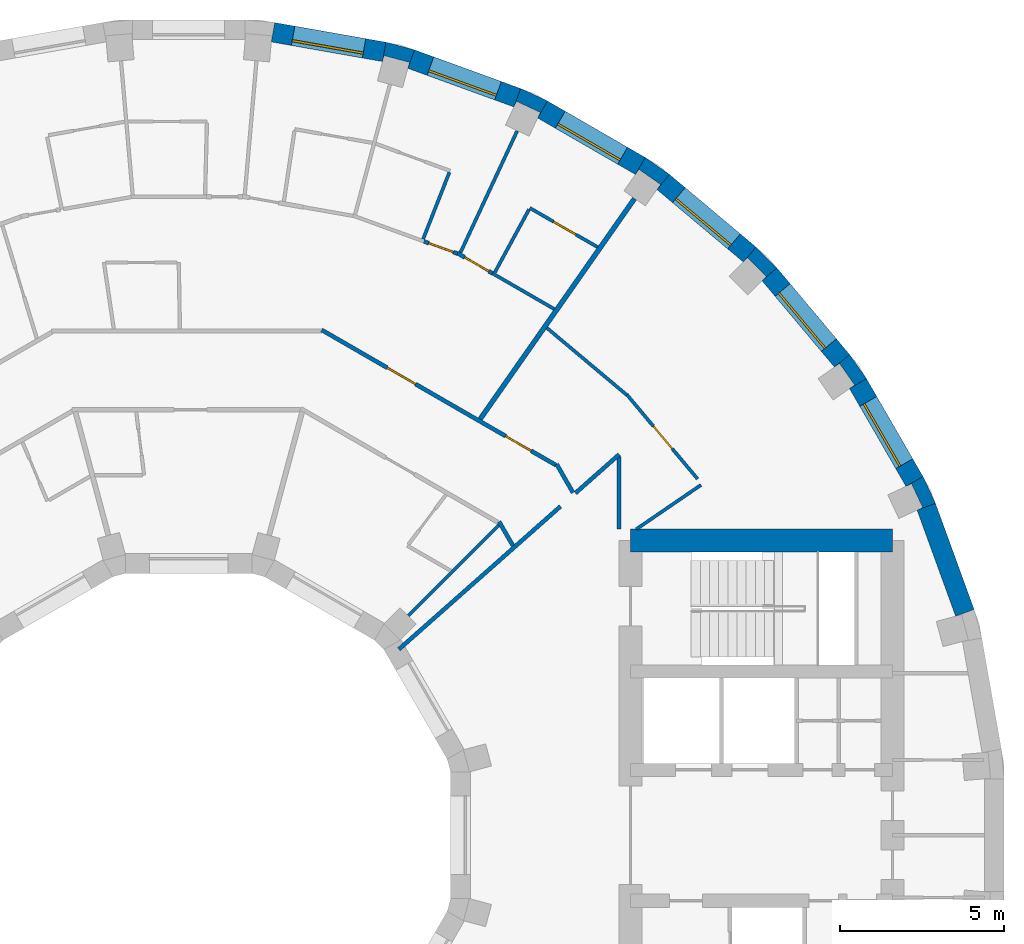
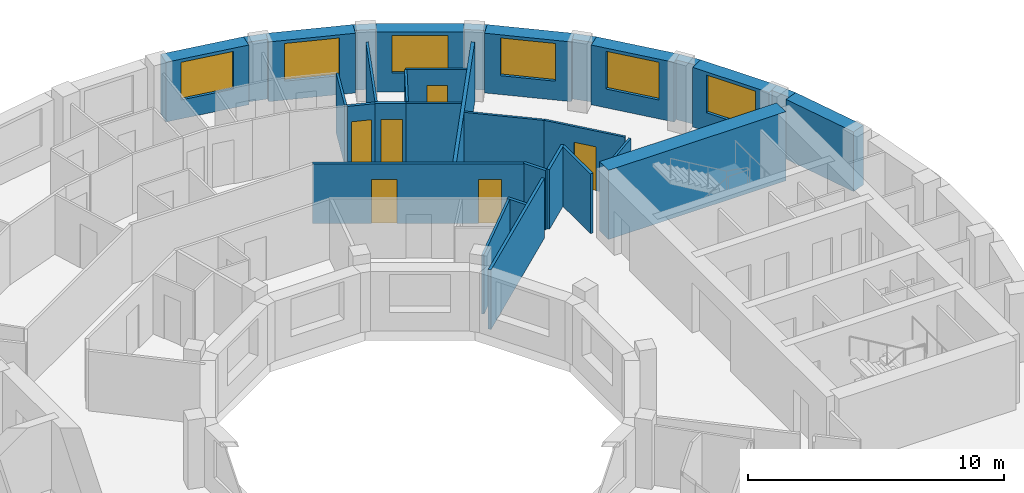
# One storey, part 13 of 15: 32 walls, 6 doors, 6 windows, 12 openings.
"""IFC4 building model written with IfcOpenShell, lengths in metres."""

import ifcopenshell
import ifcopenshell.guid

model = None  # the IFC model being written
_history = None  # IfcOwnerHistory: only IFC2X3 demands one
_inside = {}  # id of a spatial element -> (the spatial element, [elements in it])
_under = {}  # id of a project, library or spatial element -> (it, [spatial elements below it])
_declared = {}  # id of a project -> (the project, [libraries it declares])
_typed = {}  # id of a type object -> (the type object, [elements of that type])
_made_of = {}  # id of a material, layer set ... -> (it, [elements and type objects made of it])


def new_model(schema):
    """Start an empty IFC model of exactly this schema.

    Asked for "IFC4X3", IfcOpenShell would pick the latest addendum, in which some entities
    have other attributes; the version numbers below select the first issue.
    IFC2X3 requires an IfcOwnerHistory on every rooted entity: one is made here for all.
    """
    global model, _history
    if schema == "IFC4X3":
        model = ifcopenshell.file(schema_version=(4, 3, 0, 0))
    else:
        model = ifcopenshell.file(schema=schema)
    _inside.clear()
    _under.clear()
    _declared.clear()
    _typed.clear()
    _made_of.clear()
    _history = None
    if model.schema == "IFC2X3":
        org = make("IfcOrganization", Name="unknown")
        user = make(
            "IfcPersonAndOrganization",
            ThePerson=make("IfcPerson", FamilyName="unknown"),
            TheOrganization=org,
        )
        app = make(
            "IfcApplication",
            ApplicationDeveloper=org,
            Version="unknown",
            ApplicationFullName="unknown",
            ApplicationIdentifier="unknown",
        )
        _history = make(
            "IfcOwnerHistory",
            OwningUser=user,
            OwningApplication=app,
            ChangeAction="ADDED",
            CreationDate=0,
        )
    return model


def make(cls, **values):
    """One entity of the class cls with the attributes given. An attribute that is None is left unset."""
    return model.create_entity(
        cls, **{name: value for name, value in values.items() if value is not None}
    )


def rooted(cls, **values):
    """An entity with a GlobalId (a new one), such as an element, a storey or a relation."""
    return make(cls, GlobalId=ifcopenshell.guid.new(), OwnerHistory=_history, **values)


def si_unit(unit_type, name, prefix=None):
    """IfcSIUnit, for example si_unit("LENGTHUNIT", "METRE", prefix="MILLI")."""
    return make("IfcSIUnit", UnitType=unit_type, Prefix=prefix, Name=name)


def assignment(units):
    """IfcUnitAssignment: the units of a project."""
    return None if units is None else make("IfcUnitAssignment", Units=units)


def point(xyz):
    """IfcCartesianPoint."""
    return None if xyz is None else make("IfcCartesianPoint", Coordinates=xyz)


def direction(xyz):
    """IfcDirection."""
    return None if xyz is None else make("IfcDirection", DirectionRatios=xyz)


def frame(location, z_axis=None, x_axis=None):
    """IfcAxis2Placement3D, a coordinate frame: its origin and axes. An axis left out is left unset."""
    return make(
        "IfcAxis2Placement3D",
        Location=point(location),
        Axis=direction(z_axis),
        RefDirection=direction(x_axis),
    )


def frame_2d(location, x_axis=None):
    """IfcAxis2Placement2D, a coordinate frame in the plane: its origin and x axis."""
    return make(
        "IfcAxis2Placement2D", Location=point(location), RefDirection=direction(x_axis)
    )


def origin():
    """The frame at (0, 0, 0) with its axes left unset."""
    return frame((0.0, 0.0, 0.0))


def place(relative_to, where):
    """IfcLocalPlacement: puts the frame where relative to a parent placement (None: the world)."""
    return make(
        "IfcLocalPlacement", PlacementRelTo=relative_to, RelativePlacement=where
    )


def context(
    kind, dimensions, precision=None, world=None, true_north=None, identifier=None
):
    """IfcGeometricRepresentationContext, for example the 3D "Model" context."""
    return make(
        "IfcGeometricRepresentationContext",
        ContextIdentifier=identifier,
        ContextType=kind,
        CoordinateSpaceDimension=dimensions,
        Precision=precision,
        WorldCoordinateSystem=world,
        TrueNorth=true_north,
    )


def subcontext(parent, identifier, kind, view, scale=None):
    """IfcGeometricRepresentationSubContext, for example "Body" below "Model"."""
    return make(
        "IfcGeometricRepresentationSubContext",
        ContextIdentifier=identifier,
        ContextType=kind,
        ParentContext=parent,
        TargetScale=scale,
        TargetView=view,
    )


def project(units=None, contexts=None):
    """IfcProject with its units and contexts."""
    return rooted(
        "IfcProject",
        Name="project",
        RepresentationContexts=contexts,
        UnitsInContext=assignment(units),
    )


def spatial(cls, under=None, at=None, **own):
    """A site, building, storey or space (cls), placed at a placement, below another one or the project."""
    s = rooted(cls, ObjectPlacement=at, **own)
    if under is not None:
        _under.setdefault(under.id(), (under, []))[1].append(s)
    return s


def polyline(points):
    """IfcPolyline through the points."""
    return make("IfcPolyline", Points=[point(p) for p in points])


def profile(cls, at=None, kind="AREA", **sizes):
    """A parametric profile (cls). Its sizes go by their IFC names, for example OverallWidth=200.0."""
    return make(cls, ProfileType=kind, Position=at, **sizes)


def rectangle(**sizes):
    """IfcRectangleProfileDef."""
    return profile("IfcRectangleProfileDef", **sizes)


def outline(outer, holes=None, kind="AREA"):
    """IfcArbitraryClosedProfileDef: a profile drawn as a closed curve; with holes, ...WithVoids."""
    if holes is None:
        return make("IfcArbitraryClosedProfileDef", ProfileType=kind, OuterCurve=outer)
    return make(
        "IfcArbitraryProfileDefWithVoids",
        ProfileType=kind,
        OuterCurve=outer,
        InnerCurves=holes,
    )


def extrude(swept, where, along, depth):
    """IfcExtrudedAreaSolid: the profile swept, set in the frame where, extruded along a direction by depth."""
    return make(
        "IfcExtrudedAreaSolid",
        SweptArea=swept,
        Position=where,
        ExtrudedDirection=direction(along),
        Depth=depth,
    )


def shape(context_of_items, identifier, shape_type, items):
    """IfcShapeRepresentation: the items that make up one representation, for example the "Body"."""
    return make(
        "IfcShapeRepresentation",
        ContextOfItems=context_of_items,
        RepresentationIdentifier=identifier,
        RepresentationType=shape_type,
        Items=items,
    )


def material(Name=None, Category=None):
    """IfcMaterial."""
    return make("IfcMaterial", Name=Name, Category=Category)


def layer(
    of_material, thickness, ventilated=None, Name=None, Category=None, Priority=None
):
    """IfcMaterialLayer: one layer of a wall or slab, of a material (None: an air gap)."""
    return make(
        "IfcMaterialLayer",
        Material=of_material,
        LayerThickness=thickness,
        IsVentilated=ventilated,
        Name=Name,
        Category=Category,
        Priority=Priority,
    )


def layer_set(layers, Name=None):
    """IfcMaterialLayerSet."""
    return make("IfcMaterialLayerSet", MaterialLayers=layers, LayerSetName=Name)


def made_of(thing, what):
    """Note that an element or type object is made of a material, layer set ...; save() writes the relation."""
    if what is not None:
        _made_of.setdefault(what.id(), (what, []))[1].append(thing)
    return thing


def type_object(cls, material=None, **own):
    """A type object (cls), such as IfcWallType, which elements share."""
    return made_of(rooted(cls, **own), material)


def element(
    cls,
    number,
    at=None,
    inside=None,
    cuts=None,
    type_object=None,
    material=None,
    context=None,
    identifier="Body",
    shape_type=None,
    held_by="IfcProductDefinitionShape",
    body=None,
    shapes=None,
    **own,
):
    """One element of the class cls, such as IfcWall. Its Tag is "e" and its number.

    at: its placement. inside: the storey or other place that contains it. cuts: it is an
    opening in that element (IfcRelVoidsElement). A single representation is given by context,
    identifier, shape_type and body (its items); several are given by shapes. held_by: the class
    of the entity that holds the representations. save() writes the other relations.
    """
    e = rooted(cls, Tag="e%d" % number, ObjectPlacement=at, **own)
    if body is not None:
        shapes = [shape(context, identifier, shape_type, body)]
    if shapes is not None:
        e.Representation = make(held_by, Representations=shapes)
    if inside is not None:
        _inside.setdefault(inside.id(), (inside, []))[1].append(e)
    if cuts is not None:
        rooted(
            "IfcRelVoidsElement", RelatingBuildingElement=cuts, RelatedOpeningElement=e
        )
    if type_object is not None:
        _typed.setdefault(type_object.id(), (type_object, []))[1].append(e)
    return made_of(e, material)


def fill(opening, filler):
    """IfcRelFillsElement: the door or window that sits in an opening."""
    return rooted(
        "IfcRelFillsElement",
        RelatingOpeningElement=opening,
        RelatedBuildingElement=filler,
    )


def aggregate(whole, parts):
    """IfcRelAggregates: a whole, such as a stair, and the parts it consists of."""
    return rooted("IfcRelAggregates", RelatingObject=whole, RelatedObjects=parts)


def save(model, path):
    """Write the relations noted so far, then the file.

    IfcRelAggregates (storeys below a building ...), IfcRelContainedInSpatialStructure (elements
    in a storey), IfcRelDefinesByType, IfcRelAssociatesMaterial and IfcRelDeclares: one each for
    every whole, place, type object, material and project.
    """
    for whole, parts in _under.values():
        aggregate(whole, parts)
    for where, things in _inside.values():
        rooted(
            "IfcRelContainedInSpatialStructure",
            RelatedElements=things,
            RelatingStructure=where,
        )
    for kind, things in _typed.values():
        rooted("IfcRelDefinesByType", RelatedObjects=things, RelatingType=kind)
    for what, things in _made_of.values():
        rooted("IfcRelAssociatesMaterial", RelatedObjects=things, RelatingMaterial=what)
    for by, libraries in _declared.values():
        rooted("IfcRelDeclares", RelatingContext=by, RelatedDefinitions=libraries)
    model.write(path)


model = new_model("IFC4")

# Units and contexts
model_context = context("Model", 3, precision=1e-05, world=origin(), true_north=direction((0.0, 1.0)))
body_context = subcontext(model_context, "Body", "Model", "MODEL_VIEW")
ifc_project = project(units=[si_unit("LENGTHUNIT", "METRE"), si_unit("AREAUNIT", "SQUARE_METRE"), si_unit("VOLUMEUNIT", "CUBIC_METRE"), si_unit("PLANEANGLEUNIT", "RADIAN"), si_unit("MASSUNIT", "GRAM", prefix="KILO")], contexts=[model_context])

# Site, building, storey
site_placement = place(None, origin())
site = spatial("IfcSite", under=ifc_project, at=site_placement, CompositionType="ELEMENT")
building_placement = place(site_placement, origin())
building = spatial("IfcBuilding", under=site, at=building_placement, Name="Saqina Gate Tower", CompositionType="ELEMENT")
storey_placement = place(building_placement, frame((0.0, 0.0, 160.800048828125)))
storey = spatial("IfcBuildingStorey", under=building, at=storey_placement, Name="L45", CompositionType="ELEMENT", Elevation=160.800048828125)

# Walls
ifc_material_1 = material(Name="Brick masonry (buff)", Category="masonry")
wall_type_1 = type_object("IfcWallType", Name="BRICK PIER COPING BUFF", PredefinedType="SOLIDWALL", material=ifc_material_1)
wall_1_placement = place(storey_placement, origin())
element("IfcWall", 1, at=wall_1_placement, inside=storey, type_object=wall_type_1, Name="Pier cap L45 column 3", PredefinedType="SOLIDWALL", context=body_context, shape_type="SweptSolid", body=[
    extrude(outline(polyline([(22.4306640625, 10.958740234375), (21.9111328125, 10.65869140625), (22.080810546875, 10.73779296875), (22.4189453125, 10.0126953125), (22.249267578125, 9.93359375), (22.81298828125, 10.138916015625), (22.4306640625, 10.958740234375)])), origin(), (0.0, 0.0, 1.0), 2.849853515625),
])
wall_2_placement = place(storey_placement, origin())
element("IfcWall", 2, at=wall_2_placement, inside=storey, type_object=wall_type_1, Name="Pier cap L45 column 4", PredefinedType="SOLIDWALL", context=body_context, shape_type="SweptSolid", body=[
    extrude(outline(polyline([(20.705810546875, 13.9462890625), (20.18701171875, 14.687255859375), (19.727294921875, 14.301513671875), (19.880859375, 14.408935546875), (20.339599609375, 13.753662109375), (20.186279296875, 13.646240234375), (20.705810546875, 13.9462890625)])), origin(), (0.0, 0.0, 1.0), 2.849853515625),
])
wall_3_placement = place(storey_placement, origin())
element("IfcWall", 3, at=wall_3_placement, inside=storey, type_object=wall_type_1, Name="Pier cap L45 column 5", PredefinedType="SOLIDWALL", context=body_context, shape_type="SweptSolid", body=[
    extrude(outline(polyline([(17.329833984375, 17.969482421875), (16.944091796875, 17.510009765625), (17.07666015625, 17.642333984375), (17.642333984375, 17.07666015625), (17.510009765625, 16.944091796875), (17.969482421875, 17.329833984375), (17.329833984375, 17.969482421875)])), origin(), (0.0, 0.0, 1.0), 2.849853515625),
])
wall_4_placement = place(storey_placement, origin())
element("IfcWall", 4, at=wall_4_placement, inside=storey, type_object=wall_type_1, Name="Pier cap L45 column 6", PredefinedType="SOLIDWALL", context=body_context, shape_type="SweptSolid", body=[
    extrude(outline(polyline([(14.687255859375, 20.18701171875), (13.9462890625, 20.705810546875), (13.646240234375, 20.186279296875), (13.753662109375, 20.339599609375), (14.408935546875, 19.880859375), (14.301513671875, 19.727294921875), (14.687255859375, 20.18701171875)])), origin(), (0.0, 0.0, 1.0), 2.849853515625),
])
wall_5_placement = place(storey_placement, origin())
element("IfcWall", 5, at=wall_5_placement, inside=storey, type_object=wall_type_1, Name="Pier cap L45 column 7", PredefinedType="SOLIDWALL", context=body_context, shape_type="SweptSolid", body=[
    extrude(outline(polyline([(10.138916015625, 22.81298828125), (9.93359375, 22.249267578125), (10.0126953125, 22.4189453125), (10.73779296875, 22.080810546875), (10.65869140625, 21.9111328125), (10.958740234375, 22.4306640625), (10.138916015625, 22.81298828125)])), origin(), (0.0, 0.0, 1.0), 2.849853515625),
])
wall_6_placement = place(storey_placement, origin())
element("IfcWall", 6, at=wall_6_placement, inside=storey, type_object=wall_type_1, Name="Pier cap L45 column 8", PredefinedType="SOLIDWALL", context=body_context, shape_type="SweptSolid", body=[
    extrude(outline(polyline([(6.0234375, 24.22705078125), (5.919189453125, 23.635986328125), (5.967529296875, 23.81689453125), (6.740478515625, 23.610107421875), (6.69189453125, 23.428955078125), (6.897216796875, 23.992919921875), (6.0234375, 24.22705078125)])), origin(), (0.0, 0.0, 1.0), 2.849853515625),
])

# Wall, opening, window
ifc_material_2 = material(Name="Brick masonry (buff)", Category="masonry")
ifc_layer_1 = layer(ifc_material_2, 0.60009765625)
ifc_layer_set_1 = layer_set([ifc_layer_1], Name="FW-BRICK-BUFF")
wall_type_2 = type_object("IfcWallType", Name="FW-BRICK-BUFF", PredefinedType="SOLIDWALL", material=ifc_layer_set_1)
wall_7_placement = place(storey_placement, frame((22.1708984375, 10.80859375, 0.0), z_axis=(0.0, 0.0, 1.0), x_axis=(-0.499998129301, 0.86602648383, 0.0)))
wall_7 = element("IfcWall", 7, at=wall_7_placement, inside=storey, type_object=wall_type_2, Name="Facade wall L45 facet 3", PredefinedType="SOLIDWALL", context=body_context, shape_type="SweptSolid", body=[
    extrude(rectangle(XDim=3.44970703125, YDim=0.60009765625, at=frame_2d((1.724853515625, 0.0))), origin(), (0.0, 0.0, 1.0), 2.849853515625),
])
opening_1_placement = place(wall_7_placement, frame((0.625, 0.0, 0.89990234375)))
opening_1 = element("IfcOpeningElement", 8, at=opening_1_placement, cuts=wall_7, Name="Opening G13-W01", PredefinedType="OPENING", context=body_context, shape_type="SweptSolid", body=[
    extrude(rectangle(XDim=2.199951171875, YDim=1.800048828125, at=frame_2d((1.10009765625, 0.89990234375))), frame((0.0, 0.31201171875, 0.0), z_axis=(0.0, -1.0, 0.0), x_axis=(1.0, 0.0, 0.0)), (0.0, 0.0, 1.0), 0.6240234375),
])
ifc_material_3 = material(Name="Aluminium glazing", Category="aluminium")
window_type = type_object("IfcWindowType", Name="WN-C", PartitioningType="SINGLE_PANEL", PredefinedType="WINDOW", material=ifc_material_3)
window_1_placement = place(opening_1_placement, origin())
window_1 = element("IfcWindow", 9, at=window_1_placement, inside=storey, type_object=window_type, Name="Window L45 facet 3", OverallHeight=1.800048828125, OverallWidth=2.199951171875, PartitioningType="SINGLE_PANEL", PredefinedType="WINDOW", context=body_context, shape_type="SweptSolid", body=[
    extrude(rectangle(XDim=2.199951171875, YDim=1.800048828125, at=frame_2d((1.10009765625, 0.89990234375))), frame((0.0, 0.179931640625, 0.0), z_axis=(0.0, -1.0, 0.0), x_axis=(1.0, 0.0, 0.0)), (0.0, 0.0, 1.0), 0.06005859375),
])
fill(opening_1, window_1)

wall_8_placement = place(storey_placement, frame((19.95703125, 14.494384765625, 0.0), z_axis=(0.0, 0.0, 1.0), x_axis=(-0.642770398358, 0.766058884809, 0.0)))
wall_8 = element("IfcWall", 10, at=wall_8_placement, inside=storey, type_object=wall_type_2, Name="Facade wall L45 facet 4", PredefinedType="SOLIDWALL", context=body_context, shape_type="SweptSolid", body=[
    extrude(rectangle(XDim=3.449462890625, YDim=0.60009765625, at=frame_2d((1.724609375, 0.0))), origin(), (0.0, 0.0, 1.0), 2.849853515625),
])
opening_2_placement = place(wall_8_placement, frame((0.625, 0.0, 0.89990234375)))
opening_2 = element("IfcOpeningElement", 11, at=opening_2_placement, cuts=wall_8, Name="Opening G13-W02", PredefinedType="OPENING", context=body_context, shape_type="SweptSolid", body=[
    extrude(rectangle(XDim=2.199951171875, YDim=1.800048828125, at=frame_2d((1.10009765625, 0.89990234375))), frame((0.0, 0.31201171875, 0.0), z_axis=(0.0, -1.0, 0.0), x_axis=(1.0, 0.0, 0.0)), (0.0, 0.0, 1.0), 0.6240234375),
])
window_2_placement = place(opening_2_placement, origin())
window_2 = element("IfcWindow", 12, at=window_2_placement, inside=storey, type_object=window_type, Name="Window L45 facet 4", OverallHeight=1.800048828125, OverallWidth=2.199951171875, PartitioningType="SINGLE_PANEL", PredefinedType="WINDOW", context=body_context, shape_type="SweptSolid", body=[
    extrude(rectangle(XDim=2.199951171875, YDim=1.800048828125, at=frame_2d((1.10009765625, 0.89990234375))), frame((0.0, 0.179931640625, 0.0), z_axis=(0.0, -1.0, 0.0), x_axis=(1.0, 0.0, 0.0)), (0.0, 0.0, 1.0), 0.06005859375),
])
fill(opening_2, window_2)

wall_9_placement = place(storey_placement, frame((17.136962890625, 17.73974609375, 0.0), z_axis=(0.0, 0.0, 1.0), x_axis=(-0.766058884809, 0.642770398358, 0.0)))
wall_9 = element("IfcWall", 13, at=wall_9_placement, inside=storey, type_object=wall_type_2, Name="Facade wall L45 facet 5", PredefinedType="SOLIDWALL", context=body_context, shape_type="SweptSolid", body=[
    extrude(rectangle(XDim=3.449462890625, YDim=0.60009765625, at=frame_2d((1.724609375, 0.0))), origin(), (0.0, 0.0, 1.0), 2.849853515625),
])
opening_3_placement = place(wall_9_placement, frame((0.625, 0.0, 0.89990234375)))
opening_3 = element("IfcOpeningElement", 14, at=opening_3_placement, cuts=wall_9, Name="Opening G13-W03", PredefinedType="OPENING", context=body_context, shape_type="SweptSolid", body=[
    extrude(rectangle(XDim=2.199951171875, YDim=1.800048828125, at=frame_2d((1.10009765625, 0.89990234375))), frame((0.0, 0.31201171875, 0.0), z_axis=(0.0, -1.0, 0.0), x_axis=(1.0, 0.0, 0.0)), (0.0, 0.0, 1.0), 0.6240234375),
])
window_3_placement = place(opening_3_placement, origin())
window_3 = element("IfcWindow", 15, at=window_3_placement, inside=storey, type_object=window_type, Name="Window L45 facet 5", OverallHeight=1.800048828125, OverallWidth=2.199951171875, PartitioningType="SINGLE_PANEL", PredefinedType="WINDOW", context=body_context, shape_type="SweptSolid", body=[
    extrude(rectangle(XDim=2.199951171875, YDim=1.800048828125, at=frame_2d((1.10009765625, 0.89990234375))), frame((0.0, 0.179931640625, 0.0), z_axis=(0.0, -1.0, 0.0), x_axis=(1.0, 0.0, 0.0)), (0.0, 0.0, 1.0), 0.06005859375),
])
fill(opening_3, window_3)

wall_10_placement = place(storey_placement, frame((13.796142578125, 20.446044921875, 0.0), z_axis=(0.0, 0.0, 1.0), x_axis=(-0.86602648383, 0.499998129301, 0.0)))
wall_10 = element("IfcWall", 16, at=wall_10_placement, inside=storey, type_object=wall_type_2, Name="Facade wall L45 facet 6", PredefinedType="SOLIDWALL", context=body_context, shape_type="SweptSolid", body=[
    extrude(rectangle(XDim=3.44970703125, YDim=0.60009765625, at=frame_2d((1.724853515625, 0.0))), origin(), (0.0, 0.0, 1.0), 2.849853515625),
])
opening_4_placement = place(wall_10_placement, frame((0.625, 0.0, 0.89990234375)))
opening_4 = element("IfcOpeningElement", 17, at=opening_4_placement, cuts=wall_10, Name="Opening G13-W04", PredefinedType="OPENING", context=body_context, shape_type="SweptSolid", body=[
    extrude(rectangle(XDim=2.199951171875, YDim=1.800048828125, at=frame_2d((1.10009765625, 0.89990234375))), frame((0.0, 0.31201171875, 0.0), z_axis=(0.0, -1.0, 0.0), x_axis=(1.0, 0.0, 0.0)), (0.0, 0.0, 1.0), 0.6240234375),
])
window_4_placement = place(opening_4_placement, origin())
window_4 = element("IfcWindow", 18, at=window_4_placement, inside=storey, type_object=window_type, Name="Window L45 facet 6", OverallHeight=1.800048828125, OverallWidth=2.199951171875, PartitioningType="SINGLE_PANEL", PredefinedType="WINDOW", context=body_context, shape_type="SweptSolid", body=[
    extrude(rectangle(XDim=2.199951171875, YDim=1.800048828125, at=frame_2d((1.10009765625, 0.89990234375))), frame((0.0, 0.179931640625, 0.0), z_axis=(0.0, -1.0, 0.0), x_axis=(1.0, 0.0, 0.0)), (0.0, 0.0, 1.0), 0.06005859375),
])
fill(opening_4, window_4)

wall_11_placement = place(storey_placement, frame((10.0361328125, 22.531005859375, 0.0), z_axis=(0.0, 0.0, 1.0), x_axis=(-0.93968799822, 0.342032843455, 0.0)))
wall_11 = element("IfcWall", 19, at=wall_11_placement, inside=storey, type_object=wall_type_2, Name="Facade wall L45 facet 7", PredefinedType="SOLIDWALL", context=body_context, shape_type="SweptSolid", body=[
    extrude(rectangle(XDim=3.44970703125, YDim=0.60009765625, at=frame_2d((1.724853515625, 0.0))), origin(), (0.0, 0.0, 1.0), 2.849853515625),
])
opening_5_placement = place(wall_11_placement, frame((0.625, 0.0, 0.89990234375)))
opening_5 = element("IfcOpeningElement", 20, at=opening_5_placement, cuts=wall_11, Name="Opening G13-W05", PredefinedType="OPENING", context=body_context, shape_type="SweptSolid", body=[
    extrude(rectangle(XDim=2.199951171875, YDim=1.800048828125, at=frame_2d((1.10009765625, 0.89990234375))), frame((0.0, 0.31201171875, 0.0), z_axis=(0.0, -1.0, 0.0), x_axis=(1.0, 0.0, 0.0)), (0.0, 0.0, 1.0), 0.6240234375),
])
window_5_placement = place(opening_5_placement, origin())
window_5 = element("IfcWindow", 21, at=window_5_placement, inside=storey, type_object=window_type, Name="Window L45 facet 7", OverallHeight=1.800048828125, OverallWidth=2.199951171875, PartitioningType="SINGLE_PANEL", PredefinedType="WINDOW", context=body_context, shape_type="SweptSolid", body=[
    extrude(rectangle(XDim=2.199951171875, YDim=1.800048828125, at=frame_2d((1.10009765625, 0.89990234375))), frame((0.0, 0.179931640625, 0.0), z_axis=(0.0, -1.0, 0.0), x_axis=(1.0, 0.0, 0.0)), (0.0, 0.0, 1.0), 0.06005859375),
])
fill(opening_5, window_5)

wall_12_placement = place(storey_placement, frame((5.97119140625, 23.931640625, 0.0), z_axis=(0.0, 0.0, 1.0), x_axis=(-0.984814892183, 0.173607684551, 0.0)))
wall_12 = element("IfcWall", 22, at=wall_12_placement, inside=storey, type_object=wall_type_2, Name="Facade wall L45 facet 8", PredefinedType="SOLIDWALL", context=body_context, shape_type="SweptSolid", body=[
    extrude(rectangle(XDim=3.44970703125, YDim=0.60009765625, at=frame_2d((1.724853515625, 0.0))), origin(), (0.0, 0.0, 1.0), 2.849853515625),
])
opening_6_placement = place(wall_12_placement, frame((0.625, 0.0, 0.89990234375)))
opening_6 = element("IfcOpeningElement", 23, at=opening_6_placement, cuts=wall_12, Name="Opening G13-W06", PredefinedType="OPENING", context=body_context, shape_type="SweptSolid", body=[
    extrude(rectangle(XDim=2.199951171875, YDim=1.800048828125, at=frame_2d((1.10009765625, 0.89990234375))), frame((0.0, 0.31201171875, 0.0), z_axis=(0.0, -1.0, 0.0), x_axis=(1.0, 0.0, 0.0)), (0.0, 0.0, 1.0), 0.6240234375),
])
window_6_placement = place(opening_6_placement, origin())
window_6 = element("IfcWindow", 24, at=window_6_placement, inside=storey, type_object=window_type, Name="Window L45 facet 8", OverallHeight=1.800048828125, OverallWidth=2.199951171875, PartitioningType="SINGLE_PANEL", PredefinedType="WINDOW", context=body_context, shape_type="SweptSolid", body=[
    extrude(rectangle(XDim=2.199951171875, YDim=1.800048828125, at=frame_2d((1.10009765625, 0.89990234375))), frame((0.0, 0.179931640625, 0.0), z_axis=(0.0, -1.0, 0.0), x_axis=(1.0, 0.0, 0.0)), (0.0, 0.0, 1.0), 0.06005859375),
])
fill(opening_6, window_6)

# Wall
ifc_material_4 = material(Name="Glazed ceramic tile", Category="ceramic")
ifc_layer_2 = layer(ifc_material_4, 0.60009765625)
ifc_layer_set_2 = layer_set([ifc_layer_2], Name="FW-TILE")
wall_type_3 = type_object("IfcWallType", Name="FW-TILE", PredefinedType="SOLIDWALL", material=ifc_layer_set_2)
wall_13_placement = place(storey_placement, frame((23.7109375, 6.79443359375, 0.0), z_axis=(0.0, 0.0, 1.0), x_axis=(-0.342032843455, 0.93968799822, 0.0)))
element("IfcWall", 25, at=wall_13_placement, inside=storey, type_object=wall_type_3, Name="Facade wall L45 facet 2", PredefinedType="SOLIDWALL", context=body_context, shape_type="SweptSolid", body=[
    extrude(rectangle(XDim=3.44970703125, YDim=0.60009765625, at=frame_2d((1.724853515625, 0.0))), origin(), (0.0, 0.0, 1.0), 2.849853515625),
])

# Wall, opening, door
ifc_material_5 = material(Name="Gypsum board on steel studs, 100 mm", Category="steel")
ifc_layer_3 = layer(ifc_material_5, 0.10009765625)
ifc_layer_set_3 = layer_set([ifc_layer_3], Name="PARTITION 100")
wall_type_4 = type_object("IfcWallType", Name="PARTITION 100", PredefinedType="PARTITIONING", material=ifc_layer_set_3)
wall_14_placement = place(storey_placement, frame((13.386474609375, 13.4580078125, 0.0), z_axis=(0.0, 0.0, 1.0), x_axis=(0.642690725871, -0.766125727854, 0.0)))
wall_14 = element("IfcWall", 26, at=wall_14_placement, inside=storey, type_object=wall_type_4, Name="PARTITION PW3-17", PredefinedType="PARTITIONING", context=body_context, shape_type="SweptSolid", body=[
    extrude(rectangle(XDim=3.3583984375, YDim=0.10009765625, at=frame_2d((1.67919921875, 0.0))), origin(), (0.0, 0.0, 1.0), 2.849853515625),
])
opening_7_placement = place(wall_14_placement, frame((1.254638671875, 0.0, 0.0)))
opening_7 = element("IfcOpeningElement", 27, at=opening_7_placement, cuts=wall_14, Name="Opening G13-D01", PredefinedType="OPENING", context=body_context, shape_type="SweptSolid", body=[
    extrude(rectangle(XDim=0.89990234375, YDim=2.10009765625, at=frame_2d((0.449951171875, 1.050048828125))), frame((0.0, 0.06201171875, 0.0), z_axis=(0.0, -1.0, 0.0), x_axis=(1.0, 0.0, 0.0)), (0.0, 0.0, 1.0), 0.1240234375),
])
ifc_material_6 = material(Name="Timber door leaf, 900 mm", Category="wood")
door_type_1 = type_object("IfcDoorType", Name="DOOR 900 TIMBER", OperationType="SINGLE_SWING_LEFT", PredefinedType="DOOR", material=ifc_material_6)
door_1_placement = place(opening_7_placement, origin())
door_1 = element("IfcDoor", 28, at=door_1_placement, inside=storey, type_object=door_type_1, Name="DOOR G13-D01", OperationType="SINGLE_SWING_RIGHT", OverallHeight=2.10009765625, OverallWidth=0.89990234375, PredefinedType="DOOR", context=body_context, shape_type="SweptSolid", body=[
    extrude(rectangle(XDim=0.89990234375, YDim=2.10009765625, at=frame_2d((0.449951171875, 1.050048828125))), frame((0.0, 0.02490234375, 0.0), z_axis=(0.0, -1.0, 0.0), x_axis=(1.0, 0.0, 0.0)), (0.0, 0.0, 1.0), 0.050048828125),
])
fill(opening_7, door_1)

# Walls
wall_15_placement = place(storey_placement, frame((10.9423828125, 15.496826171875, 0.0), z_axis=(0.0, 0.0, 1.0), x_axis=(0.766085537519, -0.642738632109, 0.0)))
element("IfcWall", 29, at=wall_15_placement, inside=storey, type_object=wall_type_4, Name="PARTITION PW3-22", PredefinedType="PARTITIONING", context=body_context, shape_type="SweptSolid", body=[
    extrude(rectangle(XDim=3.1826171875, YDim=0.10009765625, at=frame_2d((1.59130859375, 0.0))), origin(), (0.0, 0.0, 1.0), 2.849853515625),
])
wall_16_placement = place(storey_placement, frame((9.277587890625, 17.166015625, 0.0), z_axis=(0.0, 0.0, 1.0), x_axis=(0.865855370195, -0.500294391238, 0.0)))
element("IfcWall", 30, at=wall_16_placement, inside=storey, type_object=wall_type_4, Name="PARTITION PW3-25", PredefinedType="PARTITIONING", context=body_context, shape_type="SweptSolid", body=[
    extrude(rectangle(XDim=2.179931640625, YDim=0.10009765625, at=frame_2d((1.08984375, 0.0))), origin(), (0.0, 0.0, 1.0), 2.849853515625),
])

# Wall, opening, door
wall_17_placement = place(storey_placement, frame((10.419921875, 19.162109375, 0.0), z_axis=(0.0, 0.0, 1.0), x_axis=(0.866129460467, -0.499819725211, 0.0)))
wall_17 = element("IfcWall", 31, at=wall_17_placement, inside=storey, type_object=wall_type_4, Name="PARTITION PW3-26", PredefinedType="PARTITIONING", context=body_context, shape_type="SweptSolid", body=[
    extrude(rectangle(XDim=2.39013671875, YDim=0.10009765625, at=frame_2d((1.195068359375, 0.0))), origin(), (0.0, 0.0, 1.0), 2.849853515625),
])
opening_8_placement = place(wall_17_placement, frame((0.83251953125, 0.0, 0.0)))
opening_8 = element("IfcOpeningElement", 32, at=opening_8_placement, cuts=wall_17, Name="Opening G13-D04", PredefinedType="OPENING", context=body_context, shape_type="SweptSolid", body=[
    extrude(rectangle(XDim=0.800048828125, YDim=2.10009765625, at=frame_2d((0.39990234375, 1.050048828125))), frame((0.0, 0.06201171875, 0.0), z_axis=(0.0, -1.0, 0.0), x_axis=(1.0, 0.0, 0.0)), (0.0, 0.0, 1.0), 0.1240234375),
])
ifc_material_7 = material(Name="Timber door leaf, 800 mm", Category="wood")
door_type_2 = type_object("IfcDoorType", Name="DOOR 800 TIMBER", OperationType="SINGLE_SWING_LEFT", PredefinedType="DOOR", material=ifc_material_7)
door_2_placement = place(opening_8_placement, origin())
door_2 = element("IfcDoor", 33, at=door_2_placement, inside=storey, type_object=door_type_2, Name="DOOR G13-D04", OperationType="SINGLE_SWING_RIGHT", OverallHeight=2.10009765625, OverallWidth=0.800048828125, PredefinedType="DOOR", context=body_context, shape_type="SweptSolid", body=[
    extrude(rectangle(XDim=0.800048828125, YDim=2.10009765625, at=frame_2d((0.39990234375, 1.050048828125))), frame((0.0, 0.02490234375, 0.0), z_axis=(0.0, -1.0, 0.0), x_axis=(1.0, 0.0, 0.0)), (0.0, 0.0, 1.0), 0.050048828125),
])
fill(opening_8, door_2)

# Walls
wall_18_placement = place(storey_placement, frame((13.673095703125, 9.35009765625, 0.0), z_axis=(0.0, 0.0, 1.0), x_axis=(0.82545226585, 0.564471927382, 0.0)))
element("IfcWall", 34, at=wall_18_placement, inside=storey, type_object=wall_type_4, Name="PARTITION PW3-48", PredefinedType="PARTITIONING", context=body_context, shape_type="SweptSolid", body=[
    extrude(rectangle(XDim=2.394775390625, YDim=0.10009765625, at=frame_2d((1.197265625, 0.0))), origin(), (0.0, 0.0, 1.0), 2.849853515625),
])
wall_19_placement = place(storey_placement, frame((6.7119140625, 6.7119140625, 0.0), z_axis=(0.0, 0.0, 1.0), x_axis=(0.707106781187, 0.707106781187, 0.0)))
element("IfcWall", 35, at=wall_19_placement, inside=storey, type_object=wall_type_4, Name="PARTITION PW3-52", PredefinedType="PARTITIONING", context=body_context, shape_type="SweptSolid", body=[
    extrude(rectangle(XDim=3.904541015625, YDim=0.10009765625, at=frame_2d((1.9521484375, 0.0))), origin(), (0.0, 0.0, 1.0), 2.849853515625),
])
wall_20_placement = place(storey_placement, frame((9.35107421875, 17.196044921875, 0.0), z_axis=(0.0, 0.0, 1.0), x_axis=(0.477616319427, 0.87856852403, 0.0)))
element("IfcWall", 36, at=wall_20_placement, inside=storey, type_object=wall_type_4, Name="PARTITION PW3-55", PredefinedType="PARTITIONING", context=body_context, shape_type="SweptSolid", body=[
    extrude(rectangle(XDim=2.187744140625, YDim=0.10009765625, at=frame_2d((1.09375, 0.0))), origin(), (0.0, 0.0, 1.0), 2.849853515625),
])
wall_21_placement = place(storey_placement, frame((8.301513671875, 17.8017578125, 0.0), z_axis=(0.0, 0.0, 1.0), x_axis=(0.422546217204, 0.90634137847, 0.0)))
element("IfcWall", 37, at=wall_21_placement, inside=storey, type_object=wall_type_4, Name="PARTITION PW3-57", PredefinedType="PARTITIONING", context=body_context, shape_type="SweptSolid", body=[
    extrude(rectangle(XDim=4.09765625, YDim=0.10009765625, at=frame_2d((2.048828125, 0.0))), origin(), (0.0, 0.0, 1.0), 2.849853515625),
])
wall_22_placement = place(storey_placement, frame((7.161865234375, 18.216064453125, 0.0), z_axis=(0.0, 0.0, 1.0), x_axis=(0.365959579046, 0.930630746593, 0.0)))
element("IfcWall", 38, at=wall_22_placement, inside=storey, type_object=wall_type_4, Name="PARTITION PW3-59", PredefinedType="PARTITIONING", context=body_context, shape_type="SweptSolid", body=[
    extrude(rectangle(XDim=2.188232421875, YDim=0.10009765625, at=frame_2d((1.09423828125, 0.0))), origin(), (0.0, 0.0, 1.0), 2.849853515625),
])
ifc_material_8 = material(Name="Gypsum board on steel studs, 125 mm, fire rated", Category="steel")
ifc_layer_4 = layer(ifc_material_8, 0.125)
ifc_layer_set_4 = layer_set([ifc_layer_4], Name="PARTITION EI 30 125")
wall_type_5 = type_object("IfcWallType", Name="PARTITION EI 30 125", PredefinedType="PARTITIONING", material=ifc_layer_set_4)
wall_23_placement = place(storey_placement, frame((11.238037109375, 11.336669921875, 0.0), z_axis=(0.0, 0.0, 1.0), x_axis=(0.499097354853, -0.866545919371, 0.0)))
element("IfcWall", 39, at=wall_23_placement, inside=storey, type_object=wall_type_5, Name="PARTITION PW1-02", PredefinedType="PARTITIONING", context=body_context, shape_type="SweptSolid", body=[
    extrude(rectangle(XDim=1.003173828125, YDim=0.125, at=frame_2d((0.50146484375, 0.0))), origin(), (0.0, 0.0, 1.0), 2.849853515625),
])
wall_24_placement = place(storey_placement, frame((9.48095703125, 9.57958984375, 0.0), z_axis=(0.0, 0.0, 1.0), x_axis=(0.499855389907, -0.866108878364, 0.0)))
element("IfcWall", 40, at=wall_24_placement, inside=storey, type_object=wall_type_5, Name="PARTITION PW1-04", PredefinedType="PARTITIONING", context=body_context, shape_type="SweptSolid", body=[
    extrude(rectangle(XDim=0.847900390625, YDim=0.125, at=frame_2d((0.423828125, 0.0))), origin(), (0.0, 0.0, 1.0), 2.849853515625),
])

# Wall, openings, doors
wall_25_placement = place(storey_placement, frame((4.0634765625, 15.43603515625, 0.0), z_axis=(0.0, 0.0, 1.0), x_axis=(0.866074891173, -0.499914275531, 0.0)))
wall_25 = element("IfcWall", 41, at=wall_25_placement, inside=storey, type_object=wall_type_5, Name="PARTITION PW1-13", PredefinedType="PARTITIONING", context=body_context, shape_type="SweptSolid", body=[
    extrude(rectangle(XDim=8.26318359375, YDim=0.125, at=frame_2d((4.131591796875, 0.0))), origin(), (0.0, 0.0, 1.0), 2.849853515625),
])
opening_9_placement = place(wall_25_placement, frame((6.486083984375, 0.0, 0.0)))
opening_9 = element("IfcOpeningElement", 42, at=opening_9_placement, cuts=wall_25, Name="Opening G13-D02", PredefinedType="OPENING", context=body_context, shape_type="SweptSolid", body=[
    extrude(rectangle(XDim=0.89990234375, YDim=2.10009765625, at=frame_2d((0.449951171875, 1.050048828125))), frame((0.0, 0.074462890625, 0.0), z_axis=(0.0, -1.0, 0.0), x_axis=(1.0, 0.0, 0.0)), (0.0, 0.0, 1.0), 0.14892578125),
])
opening_10_placement = place(wall_25_placement, frame((2.309326171875, 0.0, 0.0)))
opening_10 = element("IfcOpeningElement", 43, at=opening_10_placement, cuts=wall_25, Name="Opening G13-D07", PredefinedType="OPENING", context=body_context, shape_type="SweptSolid", body=[
    extrude(rectangle(XDim=1.0, YDim=2.10009765625, at=frame_2d((0.5, 1.050048828125))), frame((0.0, 0.074462890625, 0.0), z_axis=(0.0, -1.0, 0.0), x_axis=(1.0, 0.0, 0.0)), (0.0, 0.0, 1.0), 0.14892578125),
])
ifc_material_9 = material(Name="Fire door leaf EI 30, 1000 mm")
door_type_3 = type_object("IfcDoorType", Name="DOOR 1000 EI 30", OperationType="SINGLE_SWING_LEFT", PredefinedType="DOOR", material=ifc_material_9)
door_3_placement = place(opening_10_placement, origin())
door_3 = element("IfcDoor", 44, at=door_3_placement, inside=storey, type_object=door_type_3, Name="DOOR G13-D07", OperationType="SINGLE_SWING_LEFT", OverallHeight=2.10009765625, OverallWidth=1.0, PredefinedType="DOOR", context=body_context, shape_type="SweptSolid", body=[
    extrude(rectangle(XDim=1.0, YDim=2.10009765625, at=frame_2d((0.5, 1.050048828125))), frame((0.0, 0.02490234375, 0.0), z_axis=(0.0, -1.0, 0.0), x_axis=(1.0, 0.0, 0.0)), (0.0, 0.0, 1.0), 0.050048828125),
])
fill(opening_10, door_3)
ifc_material_10 = material(Name="Fire door leaf EI 30, 900 mm")
door_type_4 = type_object("IfcDoorType", Name="DOOR 900 EI 30", OperationType="SINGLE_SWING_LEFT", PredefinedType="DOOR", material=ifc_material_10)
door_4_placement = place(opening_9_placement, origin())
door_4 = element("IfcDoor", 45, at=door_4_placement, inside=storey, type_object=door_type_4, Name="DOOR G13-D02", OperationType="SINGLE_SWING_RIGHT", OverallHeight=2.10009765625, OverallWidth=0.89990234375, PredefinedType="DOOR", context=body_context, shape_type="SweptSolid", body=[
    extrude(rectangle(XDim=0.89990234375, YDim=2.10009765625, at=frame_2d((0.449951171875, 1.050048828125))), frame((0.0, 0.02490234375, 0.0), z_axis=(0.0, -1.0, 0.0), x_axis=(1.0, 0.0, 0.0)), (0.0, 0.0, 1.0), 0.050048828125),
])
fill(opening_9, door_4)

# Wall, opening, door
wall_26_placement = place(storey_placement, frame((8.219970703125, 17.77685546875, 0.0), z_axis=(0.0, 0.0, 1.0), x_axis=(0.865945878506, -0.500137716533, 0.0)))
wall_26 = element("IfcWall", 46, at=wall_26_placement, inside=storey, type_object=wall_type_5, Name="PARTITION PW1-14", PredefinedType="PARTITIONING", context=body_context, shape_type="SweptSolid", body=[
    extrude(rectangle(XDim=1.221435546875, YDim=0.125, at=frame_2d((0.61083984375, 0.0))), origin(), (0.0, 0.0, 1.0), 2.849853515625),
])
opening_11_placement = place(wall_26_placement, frame((0.242431640625, 0.0, 0.0)))
opening_11 = element("IfcOpeningElement", 47, at=opening_11_placement, cuts=wall_26, Name="Opening G13-D06", PredefinedType="OPENING", context=body_context, shape_type="SweptSolid", body=[
    extrude(rectangle(XDim=0.85009765625, YDim=2.10009765625, at=frame_2d((0.425048828125, 1.050048828125))), frame((0.0, 0.074462890625, 0.0), z_axis=(0.0, -1.0, 0.0), x_axis=(1.0, 0.0, 0.0)), (0.0, 0.0, 1.0), 0.14892578125),
])
ifc_material_11 = material(Name="Fire door leaf EI 30, 850 mm")
door_type_5 = type_object("IfcDoorType", Name="DOOR 850 EI 30", OperationType="SINGLE_SWING_LEFT", PredefinedType="DOOR", material=ifc_material_11)
door_5_placement = place(opening_11_placement, frame((0.85009765625, 0.0, 0.0), z_axis=(0.0, 0.0, 1.0), x_axis=(-1.0, 0.0, 0.0)))
door_5 = element("IfcDoor", 48, at=door_5_placement, inside=storey, type_object=door_type_5, Name="DOOR G13-D06", OperationType="SINGLE_SWING_RIGHT", OverallHeight=2.10009765625, OverallWidth=0.85009765625, PredefinedType="DOOR", context=body_context, shape_type="SweptSolid", body=[
    extrude(rectangle(XDim=0.85009765625, YDim=2.10009765625, at=frame_2d((0.425048828125, 1.050048828125))), frame((0.0, 0.02490234375, 0.0), z_axis=(0.0, -1.0, 0.0), x_axis=(1.0, 0.0, 0.0)), (0.0, 0.0, 1.0), 0.050048828125),
])
fill(opening_11, door_5)

wall_27_placement = place(storey_placement, frame((7.18603515625, 18.140869140625, 0.0), z_axis=(0.0, 0.0, 1.0), x_axis=(0.939832432098, -0.341635770341, 0.0)))
wall_27 = element("IfcWall", 49, at=wall_27_placement, inside=storey, type_object=wall_type_5, Name="PARTITION PW1-15", PredefinedType="PARTITIONING", context=body_context, shape_type="SweptSolid", body=[
    extrude(rectangle(XDim=1.09619140625, YDim=0.125, at=frame_2d((0.548095703125, 0.0))), origin(), (0.0, 0.0, 1.0), 2.849853515625),
])
opening_12_placement = place(wall_27_placement, frame((0.154296875, 0.0, 0.0)))
opening_12 = element("IfcOpeningElement", 50, at=opening_12_placement, cuts=wall_27, Name="Opening G13-D08", PredefinedType="OPENING", context=body_context, shape_type="SweptSolid", body=[
    extrude(rectangle(XDim=0.800048828125, YDim=2.10009765625, at=frame_2d((0.39990234375, 1.050048828125))), frame((0.0, 0.074462890625, 0.0), z_axis=(0.0, -1.0, 0.0), x_axis=(1.0, 0.0, 0.0)), (0.0, 0.0, 1.0), 0.14892578125),
])
ifc_material_12 = material(Name="Fire door leaf EI 30, 800 mm")
door_type_6 = type_object("IfcDoorType", Name="DOOR 800 EI 30", OperationType="SINGLE_SWING_LEFT", PredefinedType="DOOR", material=ifc_material_12)
door_6_placement = place(opening_12_placement, frame((0.800048828125, 0.0, 0.0), z_axis=(0.0, 0.0, 1.0), x_axis=(-1.0, 0.0, 0.0)))
door_6 = element("IfcDoor", 51, at=door_6_placement, inside=storey, type_object=door_type_6, Name="DOOR G13-D08", OperationType="SINGLE_SWING_LEFT", OverallHeight=2.10009765625, OverallWidth=0.800048828125, PredefinedType="DOOR", context=body_context, shape_type="SweptSolid", body=[
    extrude(rectangle(XDim=0.800048828125, YDim=2.10009765625, at=frame_2d((0.39990234375, 1.050048828125))), frame((0.0, 0.02490234375, 0.0), z_axis=(0.0, -1.0, 0.0), x_axis=(1.0, 0.0, 0.0)), (0.0, 0.0, 1.0), 0.050048828125),
])
fill(opening_12, door_6)

# Walls
wall_28_placement = place(storey_placement, frame((6.419921875, 5.679931640625, 0.0), z_axis=(0.0, 0.0, 1.0), x_axis=(0.748956953748, 0.662618654607, 0.0)))
element("IfcWall", 52, at=wall_28_placement, inside=storey, type_object=wall_type_5, Name="PARTITION PW1-32", PredefinedType="PARTITIONING", context=body_context, shape_type="SweptSolid", body=[
    extrude(rectangle(XDim=6.588623046875, YDim=0.125, at=frame_2d((3.29443359375, 0.0))), origin(), (0.0, 0.0, 1.0), 2.849853515625),
])
wall_29_placement = place(storey_placement, frame((11.816650390625, 10.45458984375, 0.0), z_axis=(0.0, 0.0, 1.0), x_axis=(0.748988708904, 0.662582760065, 0.0)))
element("IfcWall", 53, at=wall_29_placement, inside=storey, type_object=wall_type_5, Name="PARTITION PW1-33", PredefinedType="PARTITIONING", context=body_context, shape_type="SweptSolid", body=[
    extrude(rectangle(XDim=1.780029296875, YDim=0.125, at=frame_2d((0.89013671875, 0.0))), origin(), (0.0, 0.0, 1.0), 2.849853515625),
])
wall_30_placement = place(storey_placement, frame((13.14990234375, 9.35009765625, 0.0), z_axis=(0.0, 0.0, 1.0), x_axis=(0.0, 1.0, 0.0)))
element("IfcWall", 54, at=wall_30_placement, inside=storey, type_object=wall_type_5, Name="PARTITION PW1-39", PredefinedType="PARTITIONING", context=body_context, shape_type="SweptSolid", body=[
    extrude(rectangle(XDim=2.221435546875, YDim=0.125, at=frame_2d((1.11083984375, 0.0))), origin(), (0.0, 0.0, 1.0), 2.849853515625),
])
ifc_material_13 = material(Name="Gypsum board on steel studs, 150 mm, fire rated", Category="steel")
ifc_layer_5 = layer(ifc_material_13, 0.14990234375)
ifc_layer_set_5 = layer_set([ifc_layer_5], Name="PARTITION EI 60 150")
wall_type_6 = type_object("IfcWallType", Name="PARTITION EI 60 150", PredefinedType="PARTITIONING", material=ifc_layer_set_5)
wall_31_placement = place(storey_placement, frame((8.90283203125, 12.714599609375, 0.0), z_axis=(0.0, 0.0, 1.0), x_axis=(0.573585951544, 0.819145381597, 0.0)))
element("IfcWall", 55, at=wall_31_placement, inside=storey, type_object=wall_type_6, Name="PARTITION PW2-03", PredefinedType="PARTITIONING", context=body_context, shape_type="SweptSolid", body=[
    extrude(rectangle(XDim=8.21826171875, YDim=0.14990234375, at=frame_2d((4.109130859375, 0.0))), origin(), (0.0, 0.0, 1.0), 2.849853515625),
])
ifc_material_14 = material(Name="Concrete C60/75", Category="concrete")
ifc_layer_6 = layer(ifc_material_14, 0.699951171875)
ifc_layer_set_6 = layer_set([ifc_layer_6], Name="Concrete C60/75")
wall_type_7 = type_object("IfcWallType", Name="STR-CORE WALL-C-O", PredefinedType="SHEAR", material=ifc_layer_set_6)
wall_32_placement = place(storey_placement, frame((13.5, 9.0, 0.0), z_axis=(0.0, 0.0, 1.0), x_axis=(1.0, 0.0, 0.0)))
element("IfcWall", 56, at=wall_32_placement, inside=storey, type_object=wall_type_7, Name="CORE WALL L45 E-NE", PredefinedType="SHEAR", context=body_context, shape_type="SweptSolid", body=[
    extrude(rectangle(XDim=8.0, YDim=0.699951171875, at=frame_2d((4.0, 0.0))), origin(), (0.0, 0.0, 1.0), 3.300048828125),
])

save(model, "model.ifc")
